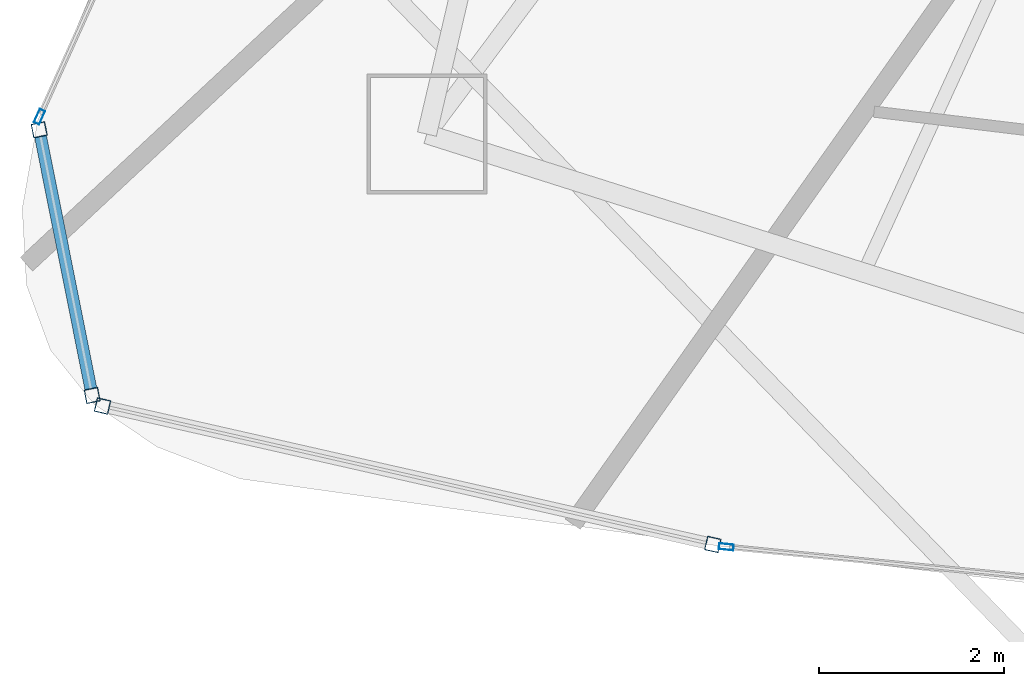
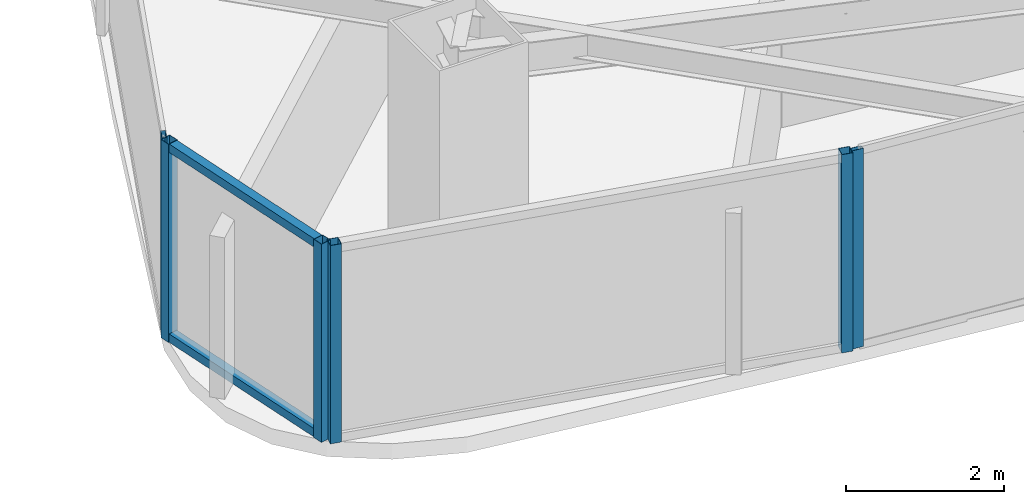
# One storey, part 2 of 32: 8 members, 4 elements without a shape of their own.
"""IFC4 building model written with IfcOpenShell, lengths in metres."""

from ifc_helpers import new_model, si_unit, direction, frame, origin, origin_2d, place, context, subcontext, project, spatial, hollow_rectangle, extrude, material, layer, layer_set, material_profile, profile_set, type_object, element, aggregate, save


model = new_model("IFC4")

# Units and contexts
model_context = context("Model", 3, precision=1e-05, world=origin(), true_north=direction((0.0, 1.0)))
body_context = subcontext(model_context, "Body", "Model", "MODEL_VIEW")
ifc_project = project(units=[si_unit("LENGTHUNIT", "METRE"), si_unit("AREAUNIT", "SQUARE_METRE"), si_unit("VOLUMEUNIT", "CUBIC_METRE"), si_unit("PLANEANGLEUNIT", "RADIAN"), si_unit("MASSUNIT", "GRAM", prefix="KILO")], contexts=[model_context])

# Site, building, storey
site_placement = place(None, origin())
site = spatial("IfcSite", under=ifc_project, at=site_placement, CompositionType="ELEMENT")
building_placement = place(site_placement, origin())
building = spatial("IfcBuilding", under=site, at=building_placement, Name="Orvanel Arch Residences", CompositionType="ELEMENT")
storey_placement = place(building_placement, frame((0.0, 0.0, 216.199951171875)))
storey = spatial("IfcBuildingStorey", under=building, at=storey_placement, Name="L61", CompositionType="ELEMENT", Elevation=216.199951171875)

# Curtain wall, members
ifc_material = material(Name="Bronze-anodised aluminium AA6063-T6", Category="aluminium")
ifc_layer_1 = layer(ifc_material, 0.18994140625)
ifc_layer_set_1 = layer_set([ifc_layer_1], Name="Bronze-anodised aluminium AA6063-T6")
curtain_wall_type_1 = type_object("IfcCurtainWallType", Name="CW5-CRN-SYS", PredefinedType="NOTDEFINED", material=ifc_layer_set_1)
curtain_wall_1_placement = place(storey_placement, origin())
curtain_wall_1 = element("IfcCurtainWall", 1, at=curtain_wall_1_placement, inside=storey, type_object=curtain_wall_type_1, Name="L61 CW5-CRN-SYS Unitised Curtain Wall", PredefinedType="NOTDEFINED")
ifc_material_profile_1 = material_profile(ifc_material, hollow_rectangle(XDim=0.14990234375, YDim=0.14990234375, WallThickness=0.0048828125, at=origin_2d()), Name="ALU150x150x5")
ifc_profile_set_1 = profile_set([ifc_material_profile_1], Name="Bronze-anodised aluminium AA6063-T6")
member_type_1 = type_object("IfcMemberType", Name="MUL-150x150", PredefinedType="MULLION", material=ifc_profile_set_1)
member_1_placement = place(storey_placement, frame((10.006591796875, 10.3974609375, 0.0), z_axis=(0.0, 0.0, 1.0), x_axis=(0.980705375633, 0.195491601364, 0.0)))
member_1 = element("IfcMember", 2, at=member_1_placement, type_object=member_type_1, Name="CW-S5 mullion 1", PredefinedType="MULLION", context=body_context, shape_type="SweptSolid", body=[
    extrude(hollow_rectangle(XDim=0.14990234375, YDim=0.14990234375, WallThickness=0.0048828125, at=origin_2d()), origin(), (0.0, 0.0, 1.0), 3.06005859375),
])
member_2_placement = place(storey_placement, frame((10.579345703125, 7.524658203125, 0.0), z_axis=(0.0, 0.0, 1.0), x_axis=(0.980705375633, 0.195491601364, 0.0)))
member_2 = element("IfcMember", 3, at=member_2_placement, type_object=member_type_1, Name="CW-S5 mullion 2", PredefinedType="MULLION", context=body_context, shape_type="SweptSolid", body=[
    extrude(hollow_rectangle(XDim=0.14990234375, YDim=0.14990234375, WallThickness=0.0048828125, at=origin_2d()), origin(), (0.0, 0.0, 1.0), 3.06005859375),
])

curtain_wall_2_placement = place(storey_placement, origin())
curtain_wall_2 = element("IfcCurtainWall", 4, at=curtain_wall_2_placement, inside=storey, type_object=curtain_wall_type_1, Name="L61 CW5-CRN-SYS Unitised Curtain Wall", PredefinedType="NOTDEFINED")
member_3_placement = place(storey_placement, frame((10.691162109375, 7.410400390625, 0.0), z_axis=(0.0, 0.0, 1.0), x_axis=(0.221183695553, 0.975232163549, 0.0)))
member_3 = element("IfcMember", 5, at=member_3_placement, type_object=member_type_1, Name="CW-S5 mullion 1", PredefinedType="MULLION", context=body_context, shape_type="SweptSolid", body=[
    extrude(hollow_rectangle(XDim=0.14990234375, YDim=0.14990234375, WallThickness=0.0048828125, at=origin_2d()), origin(), (0.0, 0.0, 1.0), 3.06005859375),
])
member_4_placement = place(storey_placement, frame((17.290771484375, 5.91357421875, 0.0), z_axis=(0.0, 0.0, 1.0), x_axis=(0.221183695553, 0.975232163549, 0.0)))
member_4 = element("IfcMember", 6, at=member_4_placement, type_object=member_type_1, Name="CW-S5 mullion 2", PredefinedType="MULLION", context=body_context, shape_type="SweptSolid", body=[
    extrude(hollow_rectangle(XDim=0.14990234375, YDim=0.14990234375, WallThickness=0.0048828125, at=origin_2d()), origin(), (0.0, 0.0, 1.0), 3.06005859375),
])
aggregate(curtain_wall_2, [member_3, member_4])

# Curtain wall, member
ifc_layer_2 = layer(ifc_material, 0.175048828125)
ifc_layer_set_2 = layer_set([ifc_layer_2], Name="Bronze-anodised aluminium AA6063-T6")
curtain_wall_type_2 = type_object("IfcCurtainWallType", Name="CW4-HI-SYS", PredefinedType="NOTDEFINED", material=ifc_layer_set_2)
curtain_wall_3_placement = place(storey_placement, origin())
curtain_wall_3 = element("IfcCurtainWall", 7, at=curtain_wall_3_placement, inside=storey, type_object=curtain_wall_type_2, Name="L61 CW4-HI-SYS Unitised Curtain Wall", PredefinedType="NOTDEFINED")
ifc_material_profile_2 = material_profile(ifc_material, hollow_rectangle(XDim=0.06494140625, YDim=0.159912109375, WallThickness=0.00390625, at=origin_2d()), Name="ALU160x65x4")
ifc_profile_set_2 = profile_set([ifc_material_profile_2], Name="Bronze-anodised aluminium AA6063-T6")
member_type_2 = type_object("IfcMemberType", Name="MUL-160x65", PredefinedType="MULLION", material=ifc_profile_set_2)
member_5_placement = place(storey_placement, frame((10.00927734375, 10.53857421875, 0.0), z_axis=(0.0, 0.0, 1.0), x_axis=(0.911480004164, -0.411344383709, 0.0)))
member_5 = element("IfcMember", 8, at=member_5_placement, type_object=member_type_2, Name="CW-S4 mullion 3", PredefinedType="MULLION", context=body_context, shape_type="SweptSolid", body=[
    extrude(hollow_rectangle(XDim=0.06494140625, YDim=0.159912109375, WallThickness=0.00390625, at=origin_2d()), origin(), (0.0, 0.0, 1.0), 3.06005859375),
])
aggregate(curtain_wall_3, [member_5])

curtain_wall_4_placement = place(storey_placement, origin())
curtain_wall_4 = element("IfcCurtainWall", 9, at=curtain_wall_4_placement, inside=storey, type_object=curtain_wall_type_2, Name="L61 CW4-HI-SYS Unitised Curtain Wall", PredefinedType="NOTDEFINED")
member_6_placement = place(storey_placement, frame((17.436279296875, 5.8876953125, 0.0), z_axis=(0.0, 0.0, 1.0), x_axis=(0.098838628636, 0.995103474765, 0.0)))
member_6 = element("IfcMember", 10, at=member_6_placement, type_object=member_type_2, Name="CW-S4 mullion 1", PredefinedType="MULLION", context=body_context, shape_type="SweptSolid", body=[
    extrude(hollow_rectangle(XDim=0.06494140625, YDim=0.159912109375, WallThickness=0.00390625, at=origin_2d()), origin(), (0.0, 0.0, 1.0), 3.06005859375),
])
aggregate(curtain_wall_4, [member_6])

# Member
ifc_material_profile_3 = material_profile(ifc_material, hollow_rectangle(XDim=0.1298828125, YDim=0.1298828125, WallThickness=0.00439453125, at=origin_2d()), Name="ALU130x130x4.5")
ifc_profile_set_3 = profile_set([ifc_material_profile_3], Name="Bronze-anodised aluminium AA6063-T6")
member_type_3 = type_object("IfcMemberType", Name="TRN-130x130", PredefinedType="USERDEFINED", material=ifc_profile_set_3)
member_7_placement = place(storey_placement, frame((10.021240234375, 10.323974609375, 0.06494140625), z_axis=(0.195524889739, -0.980698739416, 0.0), x_axis=(0.980698739416, 0.195524889739, 0.0)))
member_7 = element("IfcMember", 11, at=member_7_placement, type_object=member_type_3, Name="CW-S5 transom 1.1", ObjectType="TRANSOM", PredefinedType="USERDEFINED", context=body_context, shape_type="SweptSolid", body=[
    extrude(hollow_rectangle(XDim=0.1298828125, YDim=0.1298828125, WallThickness=0.00439453125, at=origin_2d()), origin(), (0.0, 0.0, 1.0), 2.779541015625),
])

member_8_placement = place(storey_placement, frame((10.021240234375, 10.323974609375, 2.9951171875), z_axis=(0.195524889739, -0.980698739416, 0.0), x_axis=(0.980698739416, 0.195524889739, 0.0)))
member_8 = element("IfcMember", 12, at=member_8_placement, type_object=member_type_3, Name="CW-S5 transom 1.2", ObjectType="TRANSOM", PredefinedType="USERDEFINED", context=body_context, shape_type="SweptSolid", body=[
    extrude(hollow_rectangle(XDim=0.1298828125, YDim=0.1298828125, WallThickness=0.00439453125, at=origin_2d()), origin(), (0.0, 0.0, 1.0), 2.779541015625),
])

aggregate(curtain_wall_1, [member_1, member_2, member_7, member_8])

save(model, "model.ifc")
